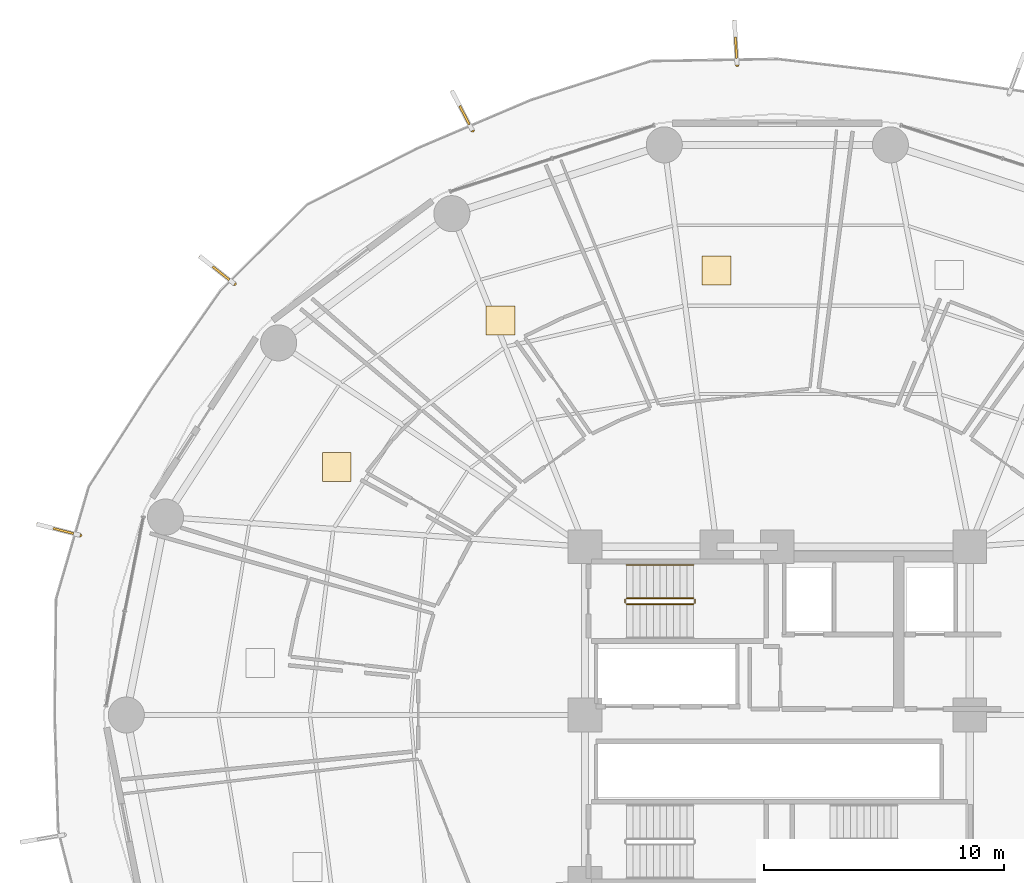
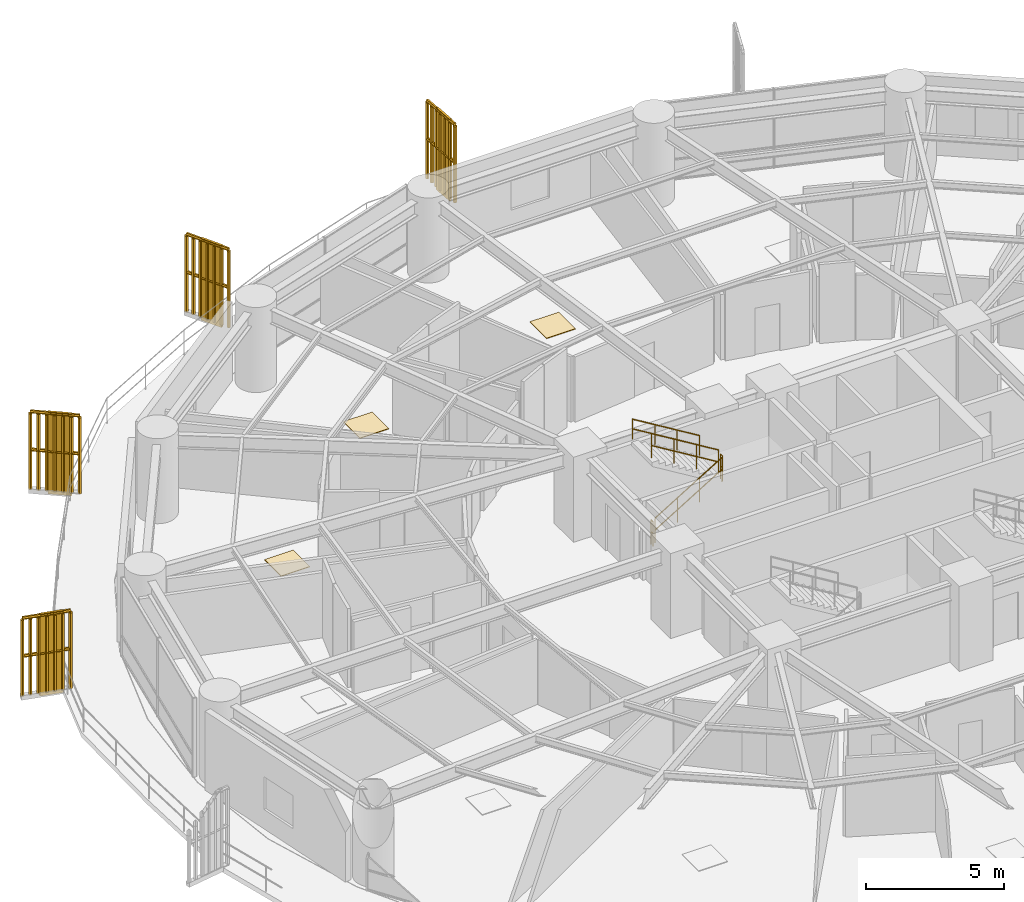
# One storey, part 32 of 33: 9 railings, 4 shading devices, 3 coverings.
"""IFC4 building model written with IfcOpenShell, lengths in metres."""

from ifc_helpers import new_model, si_unit, direction, frame, origin, origin_2d, place, context, subcontext, project, spatial, polyline, rectangle, outline, extrude, source, transform, mapped, material, layer, layer_set, type_object, element, save


model = new_model("IFC4")

# Units and contexts
model_context = context("Model", 3, precision=1e-05, world=origin(), true_north=direction((0.0, 1.0)))
body_context = subcontext(model_context, "Body", "Model", "MODEL_VIEW")
ifc_project = project(units=[si_unit("LENGTHUNIT", "METRE"), si_unit("AREAUNIT", "SQUARE_METRE"), si_unit("VOLUMEUNIT", "CUBIC_METRE"), si_unit("PLANEANGLEUNIT", "RADIAN"), si_unit("MASSUNIT", "GRAM", prefix="KILO")], contexts=[model_context])

# Site, building, storey
site_placement = place(None, origin())
site = spatial("IfcSite", under=ifc_project, at=site_placement, CompositionType="ELEMENT")
building_placement = place(site_placement, origin())
building = spatial("IfcBuilding", under=site, at=building_placement, Name="Kelanora Arch Commons", CompositionType="ELEMENT")
storey_placement = place(building_placement, frame((0.0, 0.0, 45.0)))
storey = spatial("IfcBuildingStorey", under=building, at=storey_placement, Name="L11", CompositionType="ELEMENT", Elevation=45.0)

# Railings
ifc_material_1 = material(Name="Anodised bronze vertical shading fin rib assembly")
railing_type_1 = type_object("IfcRailingType", Name="RAIL-FIN-BRZ", PredefinedType="BALUSTRADE", material=ifc_material_1)
railing_1_placement = place(storey_placement, frame((72.326416015625, 85.038818359375, -0.02001953125)))
element("IfcRailing", 1, at=railing_1_placement, inside=storey, type_object=railing_type_1, Name="Sweeping Bronze Vertical Fin Blade L11-03", PredefinedType="BALUSTRADE", context=body_context, shape_type="SweptSolid", body=[
    extrude(outline(polyline([(0.06982421875, 0.0), (0.034912109375, 0.060546875), (-0.034912109375, 0.060546875), (-0.06982421875, 0.0), (-0.034912109375, -0.060546875), (0.034912109375, -0.060546875), (0.06982421875, 0.0)])), frame((0.0, 0.0, 3.419921875), z_axis=(-0.061814076493, 0.998087681493, 0.0), x_axis=(-0.998087681493, -0.061814076493, 0.0)), (0.0, 0.0, 1.0), 1.804931640625),
    extrude(outline(polyline([(0.06982421875, 0.0), (0.034912109375, 0.060546875), (-0.034912109375, 0.060546875), (-0.06982421875, 0.0), (-0.034912109375, -0.060546875), (0.034912109375, -0.060546875), (0.06982421875, 0.0)])), frame((0.0, 0.0, 1.7451171875), z_axis=(-0.061814076493, 0.998087681493, 0.0), x_axis=(-0.998087681493, -0.061814076493, 0.0)), (0.0, 0.0, 1.0), 1.804931640625),
    extrude(outline(polyline([(0.080078125, 0.0), (0.0400390625, 0.0693359375), (-0.0400390625, 0.0693359375), (-0.080078125, 0.0), (-0.0400390625, -0.0693359375), (0.0400390625, -0.0693359375), (0.080078125, 0.0)])), origin(), (0.0, 0.0, 1.0), 3.35009765625),
    extrude(outline(polyline([(0.080078125, 0.0), (0.0400390625, 0.0693359375), (-0.0400390625, 0.0693359375), (-0.080078125, 0.0), (-0.0400390625, -0.0693359375), (0.0400390625, -0.0693359375), (0.080078125, 0.0)])), frame((-0.0185546875, 0.30029296875, 0.0)), (0.0, 0.0, 1.0), 3.35009765625),
    extrude(outline(polyline([(0.080078125, 0.0), (0.0400390625, 0.0693359375), (-0.0400390625, 0.0693359375), (-0.080078125, 0.0), (-0.0400390625, -0.0693359375), (0.0400390625, -0.0693359375), (0.080078125, 0.0)])), frame((-0.037109375, 0.6005859375, 0.0)), (0.0, 0.0, 1.0), 3.35009765625),
    extrude(outline(polyline([(0.080078125, 0.0), (0.0400390625, 0.0693359375), (-0.0400390625, 0.0693359375), (-0.080078125, 0.0), (-0.0400390625, -0.0693359375), (0.0400390625, -0.0693359375), (0.080078125, 0.0)])), frame((-0.0556640625, 0.90087890625, 0.0)), (0.0, 0.0, 1.0), 3.35009765625),
    extrude(outline(polyline([(0.080078125, 0.0), (0.0400390625, 0.0693359375), (-0.0400390625, 0.0693359375), (-0.080078125, 0.0), (-0.0400390625, -0.0693359375), (0.0400390625, -0.0693359375), (0.080078125, 0.0)])), frame((-0.074462890625, 1.200927734375, 0.0)), (0.0, 0.0, 1.0), 3.35009765625),
    extrude(outline(polyline([(0.080078125, 0.0), (0.0400390625, 0.0693359375), (-0.0400390625, 0.0693359375), (-0.080078125, 0.0), (-0.0400390625, -0.0693359375), (0.0400390625, -0.0693359375), (0.080078125, 0.0)])), frame((-0.093017578125, 1.501220703125, 0.0)), (0.0, 0.0, 1.0), 3.35009765625),
    extrude(outline(polyline([(0.080078125, 0.0), (0.0400390625, 0.0693359375), (-0.0400390625, 0.0693359375), (-0.080078125, 0.0), (-0.0400390625, -0.0693359375), (0.0400390625, -0.0693359375), (0.080078125, 0.0)])), frame((-0.111572265625, 1.801513671875, 0.0)), (0.0, 0.0, 1.0), 3.35009765625),
])
railing_2_placement = place(storey_placement, frame((61.322021484375, 82.310546875, -0.02001953125)))
element("IfcRailing", 2, at=railing_2_placement, inside=storey, type_object=railing_type_1, Name="Sweeping Bronze Vertical Fin Blade L11-04", PredefinedType="BALUSTRADE", context=body_context, shape_type="SweptSolid", body=[
    extrude(outline(polyline([(0.06982421875, 0.0), (0.034912109375, 0.060546875), (-0.034912109375, 0.060546875), (-0.06982421875, 0.0), (-0.034912109375, -0.060546875), (0.034912109375, -0.060546875), (0.06982421875, 0.0)])), frame((0.0, 0.0, 3.419921875), z_axis=(-0.462353339884, 0.886695770317, 0.0), x_axis=(-0.886695770317, -0.462353339884, 0.0)), (0.0, 0.0, 1.0), 1.804931640625),
    extrude(outline(polyline([(0.06982421875, 0.0), (0.034912109375, 0.060546875), (-0.034912109375, 0.060546875), (-0.06982421875, 0.0), (-0.034912109375, -0.060546875), (0.034912109375, -0.060546875), (0.06982421875, 0.0)])), frame((0.0, 0.0, 1.7451171875), z_axis=(-0.462353339884, 0.886695770317, 0.0), x_axis=(-0.886695770317, -0.462353339884, 0.0)), (0.0, 0.0, 1.0), 1.804931640625),
    extrude(outline(polyline([(0.080078125, 0.0), (0.0400390625, 0.0693359375), (-0.0400390625, 0.0693359375), (-0.080078125, 0.0), (-0.0400390625, -0.0693359375), (0.0400390625, -0.0693359375), (0.080078125, 0.0)])), origin(), (0.0, 0.0, 1.0), 3.35009765625),
    extrude(outline(polyline([(0.080078125, 0.0), (0.0400390625, 0.0693359375), (-0.0400390625, 0.0693359375), (-0.080078125, 0.0), (-0.0400390625, -0.0693359375), (0.0400390625, -0.0693359375), (0.080078125, 0.0)])), frame((-0.13916015625, 0.2666015625, 0.0)), (0.0, 0.0, 1.0), 3.35009765625),
    extrude(outline(polyline([(0.080078125, 0.0), (0.0400390625, 0.0693359375), (-0.0400390625, 0.0693359375), (-0.080078125, 0.0), (-0.0400390625, -0.0693359375), (0.0400390625, -0.0693359375), (0.080078125, 0.0)])), frame((-0.278076171875, 0.533447265625, 0.0)), (0.0, 0.0, 1.0), 3.35009765625),
    extrude(outline(polyline([(0.080078125, 0.0), (0.0400390625, 0.0693359375), (-0.0400390625, 0.0693359375), (-0.080078125, 0.0), (-0.0400390625, -0.0693359375), (0.0400390625, -0.0693359375), (0.080078125, 0.0)])), frame((-0.417236328125, 0.80029296875, 0.0)), (0.0, 0.0, 1.0), 3.35009765625),
    extrude(outline(polyline([(0.080078125, 0.0), (0.0400390625, 0.0693359375), (-0.0400390625, 0.0693359375), (-0.080078125, 0.0), (-0.0400390625, -0.0693359375), (0.0400390625, -0.0693359375), (0.080078125, 0.0)])), frame((-0.556396484375, 1.06689453125, 0.0)), (0.0, 0.0, 1.0), 3.35009765625),
    extrude(outline(polyline([(0.080078125, 0.0), (0.0400390625, 0.0693359375), (-0.0400390625, 0.0693359375), (-0.080078125, 0.0), (-0.0400390625, -0.0693359375), (0.0400390625, -0.0693359375), (0.080078125, 0.0)])), frame((-0.6953125, 1.33349609375, 0.0)), (0.0, 0.0, 1.0), 3.35009765625),
    extrude(outline(polyline([(0.080078125, 0.0), (0.0400390625, 0.0693359375), (-0.0400390625, 0.0693359375), (-0.080078125, 0.0), (-0.0400390625, -0.0693359375), (0.0400390625, -0.0693359375), (0.080078125, 0.0)])), frame((-0.83447265625, 1.600341796875, 0.0)), (0.0, 0.0, 1.0), 3.35009765625),
])
railing_3_placement = place(storey_placement, frame((51.423583984375, 75.930908203125, -0.02001953125)))
element("IfcRailing", 3, at=railing_3_placement, inside=storey, type_object=railing_type_1, Name="Sweeping Bronze Vertical Fin Blade L11-05", PredefinedType="BALUSTRADE", context=body_context, shape_type="SweptSolid", body=[
    extrude(outline(polyline([(0.06982421875, 0.0), (0.034912109375, 0.060546875), (-0.034912109375, 0.060546875), (-0.06982421875, 0.0), (-0.034912109375, -0.060546875), (0.034912109375, -0.060546875), (0.06982421875, 0.0)])), frame((0.0, 0.0, 3.419921875), z_axis=(-0.782988780402, 0.622035826753, 0.0), x_axis=(-0.622035826753, -0.782988780402, 0.0)), (0.0, 0.0, 1.0), 1.804931640625),
    extrude(outline(polyline([(0.06982421875, 0.0), (0.034912109375, 0.060546875), (-0.034912109375, 0.060546875), (-0.06982421875, 0.0), (-0.034912109375, -0.060546875), (0.034912109375, -0.060546875), (0.06982421875, 0.0)])), frame((0.0, 0.0, 1.7451171875), z_axis=(-0.782988780402, 0.622035826753, 0.0), x_axis=(-0.622035826753, -0.782988780402, 0.0)), (0.0, 0.0, 1.0), 1.804931640625),
    extrude(outline(polyline([(0.080078125, 0.0), (0.0400390625, 0.0693359375), (-0.0400390625, 0.0693359375), (-0.080078125, 0.0), (-0.0400390625, -0.0693359375), (0.0400390625, -0.0693359375), (0.080078125, 0.0)])), origin(), (0.0, 0.0, 1.0), 3.35009765625),
    extrude(outline(polyline([(0.080078125, 0.0), (0.0400390625, 0.0693359375), (-0.0400390625, 0.0693359375), (-0.080078125, 0.0), (-0.0400390625, -0.0693359375), (0.0400390625, -0.0693359375), (0.080078125, 0.0)])), frame((-0.235595703125, 0.18701171875, 0.0)), (0.0, 0.0, 1.0), 3.35009765625),
    extrude(outline(polyline([(0.080078125, 0.0), (0.0400390625, 0.0693359375), (-0.0400390625, 0.0693359375), (-0.080078125, 0.0), (-0.0400390625, -0.0693359375), (0.0400390625, -0.0693359375), (0.080078125, 0.0)])), frame((-0.47119140625, 0.374267578125, 0.0)), (0.0, 0.0, 1.0), 3.35009765625),
    extrude(outline(polyline([(0.080078125, 0.0), (0.0400390625, 0.0693359375), (-0.0400390625, 0.0693359375), (-0.080078125, 0.0), (-0.0400390625, -0.0693359375), (0.0400390625, -0.0693359375), (0.080078125, 0.0)])), frame((-0.70654296875, 0.5615234375, 0.0)), (0.0, 0.0, 1.0), 3.35009765625),
    extrude(outline(polyline([(0.080078125, 0.0), (0.0400390625, 0.0693359375), (-0.0400390625, 0.0693359375), (-0.080078125, 0.0), (-0.0400390625, -0.0693359375), (0.0400390625, -0.0693359375), (0.080078125, 0.0)])), frame((-0.942138671875, 0.74853515625, 0.0)), (0.0, 0.0, 1.0), 3.35009765625),
    extrude(outline(polyline([(0.080078125, 0.0), (0.0400390625, 0.0693359375), (-0.0400390625, 0.0693359375), (-0.080078125, 0.0), (-0.0400390625, -0.0693359375), (0.0400390625, -0.0693359375), (0.080078125, 0.0)])), frame((-1.177734375, 0.935546875, 0.0)), (0.0, 0.0, 1.0), 3.35009765625),
    extrude(outline(polyline([(0.080078125, 0.0), (0.0400390625, 0.0693359375), (-0.0400390625, 0.0693359375), (-0.080078125, 0.0), (-0.0400390625, -0.0693359375), (0.0400390625, -0.0693359375), (0.080078125, 0.0)])), frame((-1.413330078125, 1.122802734375, 0.0)), (0.0, 0.0, 1.0), 3.35009765625),
])
railing_4_placement = place(storey_placement, frame((45.0, 65.477294921875, -0.02001953125)))
element("IfcRailing", 4, at=railing_4_placement, inside=storey, type_object=railing_type_1, Name="Sweeping Bronze Vertical Fin Blade L11-06", PredefinedType="BALUSTRADE", context=body_context, shape_type="SweptSolid", body=[
    extrude(outline(polyline([(0.06982421875, 0.0), (0.034912109375, 0.060546875), (-0.034912109375, 0.060546875), (-0.06982421875, 0.0), (-0.034912109375, -0.060546875), (0.034912109375, -0.060546875), (0.06982421875, 0.0)])), frame((0.0, 0.0, 3.419921875), z_axis=(-0.968325867039, 0.249689838044, 0.0), x_axis=(-0.249689838044, -0.968325867039, 0.0)), (0.0, 0.0, 1.0), 1.804931640625),
    extrude(outline(polyline([(0.06982421875, 0.0), (0.034912109375, 0.060546875), (-0.034912109375, 0.060546875), (-0.06982421875, 0.0), (-0.034912109375, -0.060546875), (0.034912109375, -0.060546875), (0.06982421875, 0.0)])), frame((0.0, 0.0, 1.7451171875), z_axis=(-0.968325867039, 0.249689838044, 0.0), x_axis=(-0.249689838044, -0.968325867039, 0.0)), (0.0, 0.0, 1.0), 1.804931640625),
    extrude(outline(polyline([(0.080078125, 0.0), (0.0400390625, 0.0693359375), (-0.0400390625, 0.0693359375), (-0.080078125, 0.0), (-0.0400390625, -0.0693359375), (0.0400390625, -0.0693359375), (0.080078125, 0.0)])), origin(), (0.0, 0.0, 1.0), 3.35009765625),
    extrude(outline(polyline([(0.080078125, 0.0), (0.0400390625, 0.0693359375), (-0.0400390625, 0.0693359375), (-0.080078125, 0.0), (-0.0400390625, -0.0693359375), (0.0400390625, -0.0693359375), (0.080078125, 0.0)])), frame((-0.291259765625, 0.0751953125, 0.0)), (0.0, 0.0, 1.0), 3.35009765625),
    extrude(outline(polyline([(0.080078125, 0.0), (0.0400390625, 0.0693359375), (-0.0400390625, 0.0693359375), (-0.080078125, 0.0), (-0.0400390625, -0.0693359375), (0.0400390625, -0.0693359375), (0.080078125, 0.0)])), frame((-0.58251953125, 0.150146484375, 0.0)), (0.0, 0.0, 1.0), 3.35009765625),
    extrude(outline(polyline([(0.080078125, 0.0), (0.0400390625, 0.0693359375), (-0.0400390625, 0.0693359375), (-0.080078125, 0.0), (-0.0400390625, -0.0693359375), (0.0400390625, -0.0693359375), (0.080078125, 0.0)])), frame((-0.8740234375, 0.225341796875, 0.0)), (0.0, 0.0, 1.0), 3.35009765625),
    extrude(outline(polyline([(0.080078125, 0.0), (0.0400390625, 0.0693359375), (-0.0400390625, 0.0693359375), (-0.080078125, 0.0), (-0.0400390625, -0.0693359375), (0.0400390625, -0.0693359375), (0.080078125, 0.0)])), frame((-1.165283203125, 0.300537109375, 0.0)), (0.0, 0.0, 1.0), 3.35009765625),
    extrude(outline(polyline([(0.080078125, 0.0), (0.0400390625, 0.0693359375), (-0.0400390625, 0.0693359375), (-0.080078125, 0.0), (-0.0400390625, -0.0693359375), (0.0400390625, -0.0693359375), (0.080078125, 0.0)])), frame((-1.45654296875, 0.37548828125, 0.0)), (0.0, 0.0, 1.0), 3.35009765625),
    extrude(outline(polyline([(0.080078125, 0.0), (0.0400390625, 0.0693359375), (-0.0400390625, 0.0693359375), (-0.080078125, 0.0), (-0.0400390625, -0.0693359375), (0.0400390625, -0.0693359375), (0.080078125, 0.0)])), frame((-1.747802734375, 0.45068359375, 0.0)), (0.0, 0.0, 1.0), 3.35009765625),
])
ifc_material_2 = material(Name="Painted steel stair well guard", Category="steel")
railing_type_2 = type_object("IfcRailingType", Name="RAIL-STAIR-GRD", PredefinedType="GUARDRAIL", material=ifc_material_2)
railing_5_placement = place(storey_placement, frame((67.719970703125, 62.610107421875, 0.17041015625)))
element("IfcRailing", 5, at=railing_5_placement, inside=storey, type_object=railing_type_2, Name="L11 ST-T1 stair guard 1", PredefinedType="GUARDRAIL", context=body_context, shape_type="SweptSolid", body=[
    extrude(outline(polyline([(0.02392578125, 0.0), (0.011962890625, 0.020751953125), (-0.011962890625, 0.020751953125), (-0.02392578125, 0.0), (-0.011962890625, -0.020751953125), (0.011962890625, -0.020751953125), (0.02392578125, 0.0)])), frame((0.0, 0.0, 1.076171875), z_axis=(0.854169791009, 0.0, 0.51999420009), x_axis=(0.0, 1.0, 0.0)), (0.0, 0.0, 1.0), 3.278076171875),
    extrude(outline(polyline([(0.02392578125, 0.0), (0.011962890625, 0.020751953125), (-0.011962890625, 0.020751953125), (-0.02392578125, 0.0), (-0.011962890625, -0.020751953125), (0.011962890625, -0.020751953125), (0.02392578125, 0.0)])), frame((0.0, 0.0, 0.550048828125), z_axis=(0.854169791009, 0.0, 0.51999420009), x_axis=(0.0, 1.0, 0.0)), (0.0, 0.0, 1.0), 3.278076171875),
    extrude(outline(polyline([(0.02099609375, 0.0), (0.010498046875, 0.01806640625), (-0.010498046875, 0.01806640625), (-0.02099609375, 0.0), (-0.010498046875, -0.01806640625), (0.010498046875, -0.01806640625), (0.02099609375, 0.0)])), origin(), (0.0, 0.0, 1.0), 1.052001953125),
    extrude(outline(polyline([(0.02099609375, 0.0), (0.010498046875, 0.01806640625), (-0.010498046875, 0.01806640625), (-0.02099609375, 0.0), (-0.010498046875, -0.01806640625), (0.010498046875, -0.01806640625), (0.02099609375, 0.0)])), frame((0.933349609375, 0.0, 0.568115234375)), (0.0, 0.0, 1.0), 1.052001953125),
    extrude(outline(polyline([(0.02099609375, 0.0), (0.010498046875, 0.01806640625), (-0.010498046875, 0.01806640625), (-0.02099609375, 0.0), (-0.010498046875, -0.01806640625), (0.010498046875, -0.01806640625), (0.02099609375, 0.0)])), frame((1.86669921875, 0.0, 1.136474609375)), (0.0, 0.0, 1.0), 1.052001953125),
    extrude(outline(polyline([(0.02099609375, 0.0), (0.010498046875, 0.01806640625), (-0.010498046875, 0.01806640625), (-0.02099609375, 0.0), (-0.010498046875, -0.01806640625), (0.010498046875, -0.01806640625), (0.02099609375, 0.0)])), frame((2.800048828125, 0.0, 1.70458984375)), (0.0, 0.0, 1.0), 1.052001953125),
])
railing_6_placement = place(storey_placement, frame((70.570068359375, 62.659912109375, 1.875)))
element("IfcRailing", 6, at=railing_6_placement, inside=storey, type_object=railing_type_2, Name="L11 ST-T1 stair guard 2", PredefinedType="GUARDRAIL", context=body_context, shape_type="SweptSolid", body=[
    extrude(outline(polyline([(0.02392578125, 0.0), (0.011962890625, 0.020751953125), (-0.011962890625, 0.020751953125), (-0.02392578125, 0.0), (-0.011962890625, -0.020751953125), (0.011962890625, -0.020751953125), (0.02392578125, 0.0)])), frame((0.0, 0.0, 1.076171875), z_axis=(0.0, 1.0, 0.0), x_axis=(-1.0, 0.0, 0.0)), (0.0, 0.0, 1.0), 0.150146484375),
    extrude(outline(polyline([(0.02392578125, 0.0), (0.011962890625, 0.020751953125), (-0.011962890625, 0.020751953125), (-0.02392578125, 0.0), (-0.011962890625, -0.020751953125), (0.011962890625, -0.020751953125), (0.02392578125, 0.0)])), frame((0.0, 0.0, 0.550048828125), z_axis=(0.0, 1.0, 0.0), x_axis=(-1.0, 0.0, 0.0)), (0.0, 0.0, 1.0), 0.150146484375),
    extrude(outline(polyline([(0.02099609375, 0.0), (0.010498046875, 0.01806640625), (-0.010498046875, 0.01806640625), (-0.02099609375, 0.0), (-0.010498046875, -0.01806640625), (0.010498046875, -0.01806640625), (0.02099609375, 0.0)])), origin(), (0.0, 0.0, 1.0), 1.052001953125),
    extrude(outline(polyline([(0.02099609375, 0.0), (0.010498046875, 0.01806640625), (-0.010498046875, 0.01806640625), (-0.02099609375, 0.0), (-0.010498046875, -0.01806640625), (0.010498046875, -0.01806640625), (0.02099609375, 0.0)])), frame((0.0, 0.150146484375, 0.0)), (0.0, 0.0, 1.0), 1.052001953125),
])
railing_7_placement = place(storey_placement, frame((70.52001953125, 62.860107421875, 2.04541015625)))
element("IfcRailing", 7, at=railing_7_placement, inside=storey, type_object=railing_type_2, Name="L11 ST-T1 stair guard 3", PredefinedType="GUARDRAIL", context=body_context, shape_type="SweptSolid", body=[
    extrude(outline(polyline([(0.02392578125, 0.0), (0.011962890625, 0.020751953125), (-0.011962890625, 0.020751953125), (-0.02392578125, 0.0), (-0.011962890625, -0.020751953125), (0.011962890625, -0.020751953125), (0.02392578125, 0.0)])), frame((0.0, 0.0, 1.076171875), z_axis=(-0.854169791009, 0.0, 0.51999420009), x_axis=(0.0, -1.0, 0.0)), (0.0, 0.0, 1.0), 3.278076171875),
    extrude(outline(polyline([(0.02392578125, 0.0), (0.011962890625, 0.020751953125), (-0.011962890625, 0.020751953125), (-0.02392578125, 0.0), (-0.011962890625, -0.020751953125), (0.011962890625, -0.020751953125), (0.02392578125, 0.0)])), frame((0.0, 0.0, 0.550048828125), z_axis=(-0.854169791009, 0.0, 0.51999420009), x_axis=(0.0, -1.0, 0.0)), (0.0, 0.0, 1.0), 3.278076171875),
    extrude(outline(polyline([(0.02099609375, 0.0), (0.010498046875, 0.01806640625), (-0.010498046875, 0.01806640625), (-0.02099609375, 0.0), (-0.010498046875, -0.01806640625), (0.010498046875, -0.01806640625), (0.02099609375, 0.0)])), origin(), (0.0, 0.0, 1.0), 1.052001953125),
    extrude(outline(polyline([(0.02099609375, 0.0), (0.010498046875, 0.01806640625), (-0.010498046875, 0.01806640625), (-0.02099609375, 0.0), (-0.010498046875, -0.01806640625), (0.010498046875, -0.01806640625), (0.02099609375, 0.0)])), frame((-0.933349609375, 0.0, 0.568115234375)), (0.0, 0.0, 1.0), 1.052001953125),
    extrude(outline(polyline([(0.02099609375, 0.0), (0.010498046875, 0.01806640625), (-0.010498046875, 0.01806640625), (-0.02099609375, 0.0), (-0.010498046875, -0.01806640625), (0.010498046875, -0.01806640625), (0.02099609375, 0.0)])), frame((-1.86669921875, 0.0, 1.136474609375)), (0.0, 0.0, 1.0), 1.052001953125),
    extrude(outline(polyline([(0.02099609375, 0.0), (0.010498046875, 0.01806640625), (-0.010498046875, 0.01806640625), (-0.02099609375, 0.0), (-0.010498046875, -0.01806640625), (0.010498046875, -0.01806640625), (0.02099609375, 0.0)])), frame((-2.800048828125, 0.0, 1.70458984375)), (0.0, 0.0, 1.0), 1.052001953125),
])
railing_8_placement = place(storey_placement, frame((67.669921875, 62.659912109375, 0.0)))
element("IfcRailing", 8, at=railing_8_placement, inside=storey, type_object=railing_type_2, Name="L11 ST-T1 stair guard 4", PredefinedType="GUARDRAIL", context=body_context, shape_type="SweptSolid", body=[
    extrude(outline(polyline([(0.02392578125, 0.0), (0.011962890625, 0.020751953125), (-0.011962890625, 0.020751953125), (-0.02392578125, 0.0), (-0.011962890625, -0.020751953125), (0.011962890625, -0.020751953125), (0.02392578125, 0.0)])), frame((0.0, 0.0, 1.076171875), z_axis=(0.0, 1.0, 0.0), x_axis=(-1.0, 0.0, 0.0)), (0.0, 0.0, 1.0), 0.150146484375),
    extrude(outline(polyline([(0.02392578125, 0.0), (0.011962890625, 0.020751953125), (-0.011962890625, 0.020751953125), (-0.02392578125, 0.0), (-0.011962890625, -0.020751953125), (0.011962890625, -0.020751953125), (0.02392578125, 0.0)])), frame((0.0, 0.0, 0.550048828125), z_axis=(0.0, 1.0, 0.0), x_axis=(-1.0, 0.0, 0.0)), (0.0, 0.0, 1.0), 0.150146484375),
    extrude(outline(polyline([(0.02099609375, 0.0), (0.010498046875, 0.01806640625), (-0.010498046875, 0.01806640625), (-0.02099609375, 0.0), (-0.010498046875, -0.01806640625), (0.010498046875, -0.01806640625), (0.02099609375, 0.0)])), origin(), (0.0, 0.0, 1.0), 1.052001953125),
    extrude(outline(polyline([(0.02099609375, 0.0), (0.010498046875, 0.01806640625), (-0.010498046875, 0.01806640625), (-0.02099609375, 0.0), (-0.010498046875, -0.01806640625), (0.010498046875, -0.01806640625), (0.02099609375, 0.0)])), frame((0.0, 0.150146484375, 0.0)), (0.0, 0.0, 1.0), 1.052001953125),
])
ifc_material_3 = material(Name="Brushed stainless steel stair handrail", Category="steel")
railing_type_3 = type_object("IfcRailingType", Name="RAIL-STAIR-HND", PredefinedType="HANDRAIL", material=ifc_material_3)
railing_9_placement = place(storey_placement, frame((70.52001953125, 64.239990234375, 2.04541015625)))
element("IfcRailing", 9, at=railing_9_placement, inside=storey, type_object=railing_type_3, Name="L11 ST-T1 stair handrail 2", PredefinedType="HANDRAIL", context=body_context, shape_type="SweptSolid", body=[
    extrude(outline(polyline([(0.02392578125, 0.0), (0.011962890625, 0.020751953125), (-0.011962890625, 0.020751953125), (-0.02392578125, 0.0), (-0.011962890625, -0.020751953125), (0.011962890625, -0.020751953125), (0.02392578125, 0.0)])), frame((0.0, 0.0, 0.8759765625), z_axis=(-0.854169791009, 0.0, 0.51999420009), x_axis=(0.0, -1.0, 0.0)), (0.0, 0.0, 1.0), 3.278076171875),
    extrude(outline(polyline([(0.02392578125, 0.0), (0.011962890625, 0.020751953125), (-0.011962890625, 0.020751953125), (-0.02392578125, 0.0), (-0.011962890625, -0.020751953125), (0.011962890625, -0.020751953125), (0.02392578125, 0.0)])), frame((0.0, 0.0, 0.449951171875), z_axis=(-0.854169791009, 0.0, 0.51999420009), x_axis=(0.0, -1.0, 0.0)), (0.0, 0.0, 1.0), 3.278076171875),
    extrude(outline(polyline([(0.02099609375, 0.0), (0.010498046875, 0.01806640625), (-0.010498046875, 0.01806640625), (-0.02099609375, 0.0), (-0.010498046875, -0.01806640625), (0.010498046875, -0.01806640625), (0.02099609375, 0.0)])), origin(), (0.0, 0.0, 1.0), 0.851806640625),
    extrude(outline(polyline([(0.02099609375, 0.0), (0.010498046875, 0.01806640625), (-0.010498046875, 0.01806640625), (-0.02099609375, 0.0), (-0.010498046875, -0.01806640625), (0.010498046875, -0.01806640625), (0.02099609375, 0.0)])), frame((-0.933349609375, 0.0, 0.568115234375)), (0.0, 0.0, 1.0), 0.851806640625),
    extrude(outline(polyline([(0.02099609375, 0.0), (0.010498046875, 0.01806640625), (-0.010498046875, 0.01806640625), (-0.02099609375, 0.0), (-0.010498046875, -0.01806640625), (0.010498046875, -0.01806640625), (0.02099609375, 0.0)])), frame((-1.86669921875, 0.0, 1.136474609375)), (0.0, 0.0, 1.0), 0.851806640625),
    extrude(outline(polyline([(0.02099609375, 0.0), (0.010498046875, 0.01806640625), (-0.010498046875, 0.01806640625), (-0.02099609375, 0.0), (-0.010498046875, -0.01806640625), (0.010498046875, -0.01806640625), (0.02099609375, 0.0)])), frame((-2.800048828125, 0.0, 1.70458984375)), (0.0, 0.0, 1.0), 0.851806640625),
])

# Shading devices
ifc_material_4 = material(Name="Terracotta ceramic-clad extruded aluminium fin", Category="masonry")
shading_device_type = type_object("IfcShadingDeviceType", Name="SHD-FIN-FLARE", PredefinedType="USERDEFINED", material=ifc_material_4)
shared_shape_1 = source(origin(), body_context, "Body", "SweptSolid", [
    extrude(rectangle(XDim=0.8798828125, YDim=0.090087890625, at=origin_2d()), origin(), (0.0, 0.0, 1.0), 3.610107421875),
])
for number, where, z_axis, x_axis, name in (
    (10, (72.281982421875, 85.75732421875, -0.14013671875), (0.0, 0.0, 1.0), (-0.061745354146, 0.998091935265, 0.0), "Sweeping Terracotta Fin L11-03"),
    (11, (60.9892578125, 82.948974609375, -0.14013671875), (0.0, 0.0, 1.0), (-0.462367751041, 0.886688255701, 0.0), "Sweeping Terracotta Fin L11-04"),
    (12, (50.85986328125, 76.37890625, -0.14013671875), (0.0, 0.0, 1.0), (-0.783042563302, 0.621968121415, 0.0), "Sweeping Terracotta Fin L11-05"),
    (13, (44.302734375, 65.656982421875, -0.14013671875), (0.0, 0.0, 1.0), (-0.96832220265, 0.249704048534, 0.0), "Sweeping Terracotta Fin L11-06"),
):
    element("IfcShadingDevice", number, at=place(storey_placement, frame(where, z_axis=z_axis, x_axis=x_axis)), inside=storey, type_object=shading_device_type, Name=name, ObjectType="FIN", PredefinedType="USERDEFINED", context=body_context, shape_type="MappedRepresentation", body=[
        mapped(shared_shape_1, transform((0.0, 0.0, 0.0), scale=1.0)),
    ])

# Coverings
ifc_material_5 = material(Name="Polished local granite terrazzo flooring", Category="masonry")
ifc_layer = layer(ifc_material_5, 0.030029296875)
ifc_layer_set = layer_set([ifc_layer], Name="Polished local granite terrazzo flooring")
covering_type = type_object("IfcCoveringType", Name="COV-FLR-TER", PredefinedType="FLOORING", material=ifc_layer_set)
shared_shape_2 = source(origin(), body_context, "Body", "SweptSolid", [
    extrude(rectangle(XDim=1.199951171875, YDim=1.199951171875, at=origin_2d()), origin(), (0.0, 0.0, 1.0), 0.030029296875),
])
for number, where, z_axis, x_axis, name in (
    (14, (71.4677734375, 76.48876953125, 0.0), (0.0, 0.0, 1.0), (1.0, 0.0, 0.0), "Communal Dining and Social Hall L11-04 Terrazzo Finish"),
    (15, (62.48828125, 74.413330078125, 0.0), (0.0, 0.0, 1.0), (1.0, 0.0, 0.0), "Co-Living Studio L11-05 Terrazzo Finish"),
    (16, (55.677001953125, 68.31298828125, 0.0), (0.0, 0.0, 1.0), (1.0, 0.0, 0.0), "Co-Living Studio L11-06 Terrazzo Finish"),
):
    element("IfcCovering", number, at=place(storey_placement, frame(where, z_axis=z_axis, x_axis=x_axis)), inside=storey, type_object=covering_type, Name=name, PredefinedType="FLOORING", context=body_context, shape_type="MappedRepresentation", body=[
        mapped(shared_shape_2, transform((0.0, 0.0, 0.0), scale=1.0)),
    ])

save(model, "model.ifc")
